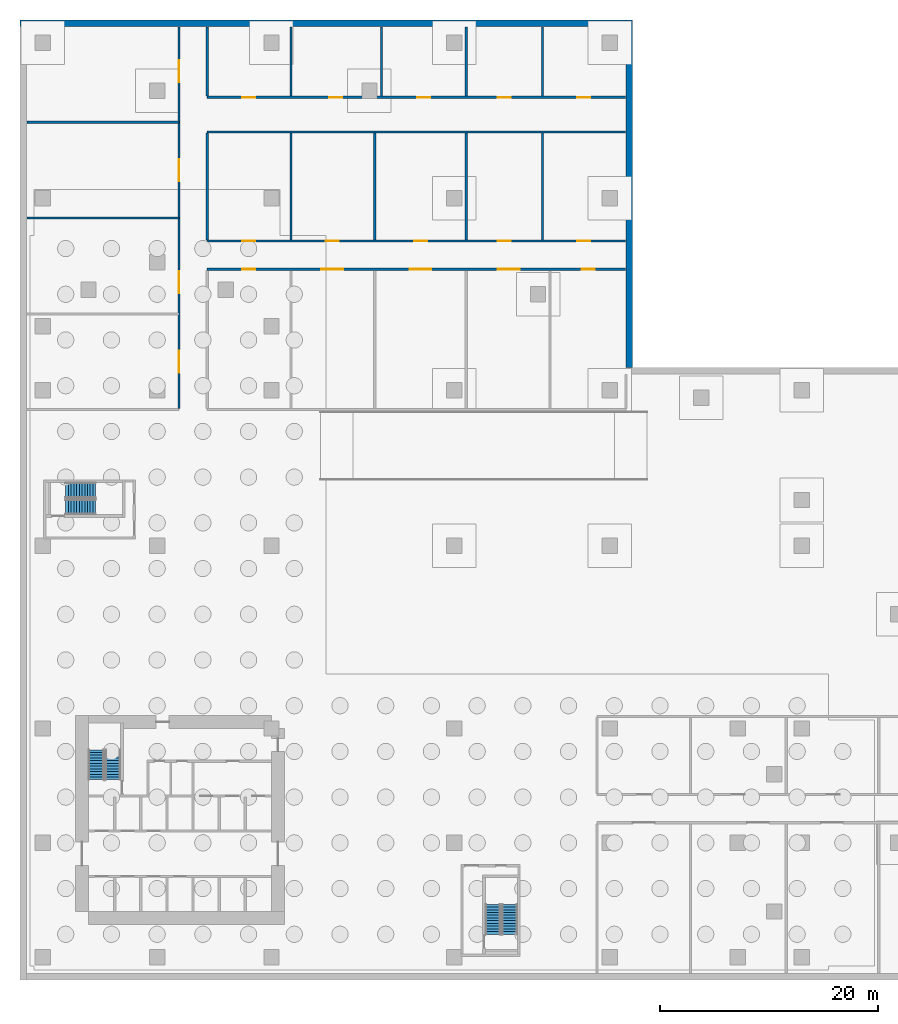
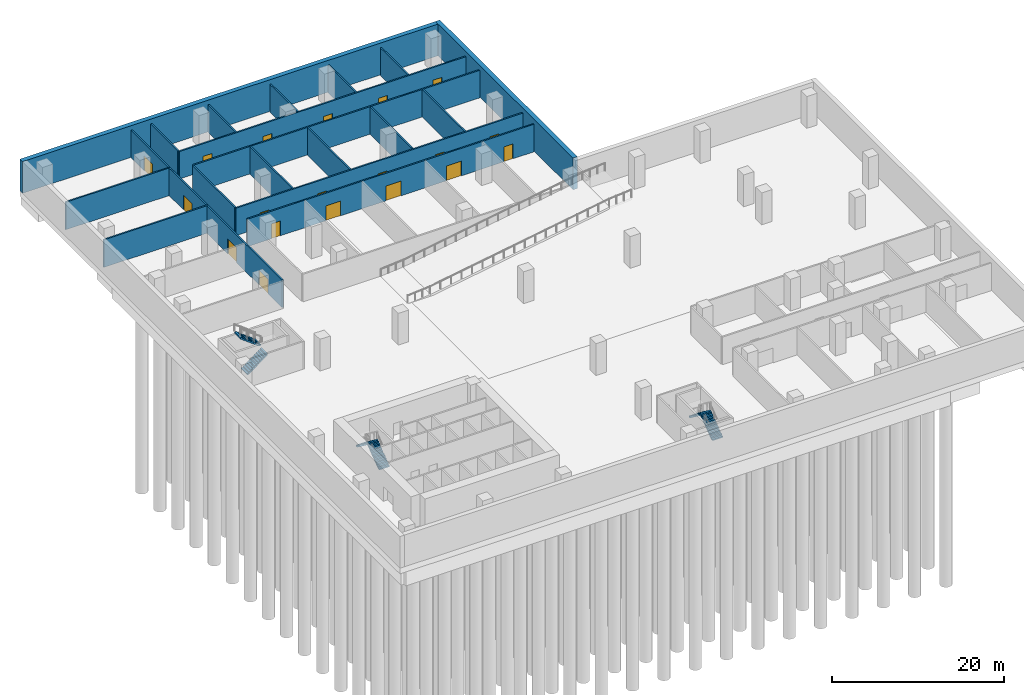
# One storey, part 9 of 13: 19 doors, 19 walls, 6 stair flights, 19 openings, 3 elements without a shape of their own.
"""IFC4 building model written with IfcOpenShell, lengths in metres."""

from ifc_helpers import new_model, si_unit, direction, frame, frame_2d, origin, place, context, subcontext, project, spatial, polyline, rectangle, outline, extrude, source, transform, mapped, material, layer, layer_set, type_object, element, fill, aggregate, save


model = new_model("IFC4")

# Units and contexts
model_context = context("Model", 3, precision=1e-05, world=origin(), true_north=direction((0.0, 1.0)))
body_context = subcontext(model_context, "Body", "Model", "MODEL_VIEW")
ifc_project = project(units=[si_unit("LENGTHUNIT", "METRE"), si_unit("AREAUNIT", "SQUARE_METRE"), si_unit("VOLUMEUNIT", "CUBIC_METRE"), si_unit("PLANEANGLEUNIT", "RADIAN"), si_unit("MASSUNIT", "GRAM", prefix="KILO")], contexts=[model_context])

# Site, building, storey
site_placement = place(None, origin())
site = spatial("IfcSite", under=ifc_project, at=site_placement, CompositionType="ELEMENT")
building_placement = place(site_placement, origin())
building = spatial("IfcBuilding", under=site, at=building_placement, Name="Aurelian Terraces", CompositionType="ELEMENT")
storey_placement = place(building_placement, frame((0.0, 0.0, -13.5)))
storey = spatial("IfcBuildingStorey", under=building, at=storey_placement, Name="B3", CompositionType="ELEMENT", Elevation=-13.5)

# Walls
ifc_material_1 = material(Name="Concrete fc' 40 MPa", Category="concrete")
ifc_layer_1 = layer(ifc_material_1, 0.6)
ifc_layer_set_1 = layer_set([ifc_layer_1], Name="BASEMENT WALL 600 FC40")
wall_type_1 = type_object("IfcWallType", Name="BASEMENT WALL 600 FC40", PredefinedType="SOLIDWALL", material=ifc_layer_set_1)
wall_1_placement = place(storey_placement, frame((53.88, 54.18, 0.0), z_axis=(0.0, 0.0, 1.0), x_axis=(0.0, 1.0, 0.0)))
element("IfcWall", 1, at=wall_1_placement, inside=storey, type_object=wall_type_1, Name="Basement wall 1 B3", PredefinedType="SOLIDWALL", context=body_context, shape_type="SweptSolid", body=[
    extrude(rectangle(XDim=31.92, YDim=0.6, at=frame_2d((15.96, 0.0))), origin(), (0.0, 0.0, 1.0), 4.5),
])
wall_2_placement = place(storey_placement, frame((53.58, 85.8, 0.0), z_axis=(0.0, 0.0, 1.0), x_axis=(-1.0, 0.0, 0.0)))
element("IfcWall", 2, at=wall_2_placement, inside=storey, type_object=wall_type_1, Name="Basement wall 2 B3", PredefinedType="SOLIDWALL", context=body_context, shape_type="SweptSolid", body=[
    extrude(rectangle(XDim=55.68, YDim=0.6, at=frame_2d((27.84, 0.0))), origin(), (0.0, 0.0, 1.0), 4.5),
])

# Wall, openings, doors
ifc_material_2 = material(Name="Gypsum board on steel studs", Category="steel")
ifc_layer_2 = layer(ifc_material_2, 0.2)
ifc_layer_set_2 = layer_set([ifc_layer_2], Name="Basement partition 200")
wall_type_2 = type_object("IfcWallType", Name="Basement partition 200", PredefinedType="PARTITIONING", material=ifc_layer_set_2)
wall_3_placement = place(storey_placement, frame((15.1, 63.2, 0.0), z_axis=(0.0, 0.0, 1.0), x_axis=(1.0, 0.0, 0.0)))
wall_3 = element("IfcWall", 3, at=wall_3_placement, inside=storey, type_object=wall_type_2, Name="B3 partition 007", PredefinedType="PARTITIONING", context=body_context, shape_type="SweptSolid", body=[
    extrude(rectangle(XDim=38.42, YDim=0.2, at=frame_2d((19.21, 0.0))), origin(), (0.0, 0.0, 1.0), 3.9),
])
shared_shape_1 = source(origin(), body_context, "Body", "SweptSolid", [
    extrude(rectangle(XDim=1.2, YDim=2.1, at=frame_2d((0.6, 1.05))), frame((0.0, 0.11, 0.0), z_axis=(0.0, -1.0, 0.0), x_axis=(1.0, 0.0, 0.0)), (0.0, 0.0, 1.0), 0.22),
])
opening_1_placement = place(wall_3_placement, frame((3.2, 0.0, 0.0)))
opening_1 = element("IfcOpeningElement", 4, at=opening_1_placement, cuts=wall_3, Name="Opening 50004", PredefinedType="OPENING", context=body_context, shape_type="MappedRepresentation", body=[
    mapped(shared_shape_1, transform((0.0, 0.0, 0.0), scale=1.0)),
])
shared_shape_2 = source(origin(), body_context, "Body", "SweptSolid", [
    extrude(rectangle(XDim=2.0, YDim=2.1, at=frame_2d((1.0, 1.05))), frame((0.0, 0.11, 0.0), z_axis=(0.0, -1.0, 0.0), x_axis=(1.0, 0.0, 0.0)), (0.0, 0.0, 1.0), 0.22),
])
opening_2_placement = place(wall_3_placement, frame((10.5, 0.0, 0.0)))
opening_2 = element("IfcOpeningElement", 5, at=opening_2_placement, cuts=wall_3, Name="Opening 50005", PredefinedType="OPENING", context=body_context, shape_type="MappedRepresentation", body=[
    mapped(shared_shape_2, transform((0.0, 0.0, 0.0), scale=1.0)),
])
opening_3_placement = place(wall_3_placement, frame((18.6, 0.0, 0.0)))
opening_3 = element("IfcOpeningElement", 6, at=opening_3_placement, cuts=wall_3, Name="Opening 50006", PredefinedType="OPENING", context=body_context, shape_type="MappedRepresentation", body=[
    mapped(shared_shape_2, transform((0.0, 0.0, 0.0), scale=1.0)),
])
opening_4_placement = place(wall_3_placement, frame((26.7, 0.0, 0.0)))
opening_4 = element("IfcOpeningElement", 7, at=opening_4_placement, cuts=wall_3, Name="Opening 50007", PredefinedType="OPENING", context=body_context, shape_type="MappedRepresentation", body=[
    mapped(shared_shape_2, transform((0.0, 0.0, 0.0), scale=1.0)),
])
opening_5_placement = place(wall_3_placement, frame((34.4, 0.0, 0.0)))
opening_5 = element("IfcOpeningElement", 8, at=opening_5_placement, cuts=wall_3, Name="Opening 50008", PredefinedType="OPENING", context=body_context, shape_type="MappedRepresentation", body=[
    mapped(shared_shape_1, transform((0.0, 0.0, 0.0), scale=1.0)),
])
ifc_material_3 = material(Name="Steel door leaf", Category="steel")
door_type_1 = type_object("IfcDoorType", Name="Plant room door 1200x2100", OperationType="SINGLE_SWING_LEFT", PredefinedType="DOOR", material=ifc_material_3)
shared_shape_3 = source(origin(), body_context, "Body", "SweptSolid", [
    extrude(rectangle(XDim=1.2, YDim=2.1, at=frame_2d((0.6, 1.05))), frame((0.0, 0.025, 0.0), z_axis=(0.0, -1.0, 0.0), x_axis=(1.0, 0.0, 0.0)), (0.0, 0.0, 1.0), 0.05),
])
door_1_placement = place(opening_1_placement, origin())
door_1 = element("IfcDoor", 9, at=door_1_placement, inside=storey, type_object=door_type_1, Name="Room door 50004", OperationType="SINGLE_SWING_LEFT", OverallHeight=2.1, OverallWidth=1.2, PredefinedType="DOOR", context=body_context, shape_type="MappedRepresentation", body=[
    mapped(shared_shape_3, transform((0.0, 0.0, 0.0), scale=1.0)),
])
fill(opening_1, door_1)
door_2_placement = place(opening_5_placement, origin())
door_2 = element("IfcDoor", 10, at=door_2_placement, inside=storey, type_object=door_type_1, Name="Room door 50008", OperationType="SINGLE_SWING_LEFT", OverallHeight=2.1, OverallWidth=1.2, PredefinedType="DOOR", context=body_context, shape_type="MappedRepresentation", body=[
    mapped(shared_shape_3, transform((0.0, 0.0, 0.0), scale=1.0)),
])
fill(opening_5, door_2)
door_type_2 = type_object("IfcDoorType", Name="Plant room door double 2000x2100", OperationType="DOUBLE_DOOR_SINGLE_SWING", PredefinedType="DOOR", material=ifc_material_3)
shared_shape_4 = source(origin(), body_context, "Body", "SweptSolid", [
    extrude(rectangle(XDim=2.0, YDim=2.1, at=frame_2d((1.0, 1.05))), frame((0.0, 0.025, 0.0), z_axis=(0.0, -1.0, 0.0), x_axis=(1.0, 0.0, 0.0)), (0.0, 0.0, 1.0), 0.05),
])
door_3_placement = place(opening_2_placement, origin())
door_3 = element("IfcDoor", 11, at=door_3_placement, inside=storey, type_object=door_type_2, Name="Room door 50005", OperationType="DOUBLE_DOOR_SINGLE_SWING", OverallHeight=2.1, OverallWidth=2.0, PredefinedType="DOOR", context=body_context, shape_type="MappedRepresentation", body=[
    mapped(shared_shape_4, transform((0.0, 0.0, 0.0), scale=1.0)),
])
fill(opening_2, door_3)
door_4_placement = place(opening_3_placement, origin())
door_4 = element("IfcDoor", 12, at=door_4_placement, inside=storey, type_object=door_type_2, Name="Room door 50006", OperationType="DOUBLE_DOOR_SINGLE_SWING", OverallHeight=2.1, OverallWidth=2.0, PredefinedType="DOOR", context=body_context, shape_type="MappedRepresentation", body=[
    mapped(shared_shape_4, transform((0.0, 0.0, 0.0), scale=1.0)),
])
fill(opening_3, door_4)
door_5_placement = place(opening_4_placement, origin())
door_5 = element("IfcDoor", 13, at=door_5_placement, inside=storey, type_object=door_type_2, Name="Room door 50007", OperationType="DOUBLE_DOOR_SINGLE_SWING", OverallHeight=2.1, OverallWidth=2.0, PredefinedType="DOOR", context=body_context, shape_type="MappedRepresentation", body=[
    mapped(shared_shape_4, transform((0.0, 0.0, 0.0), scale=1.0)),
])
fill(opening_4, door_5)

wall_4_placement = place(storey_placement, frame((12.5, 50.4, 0.0), z_axis=(0.0, 0.0, 1.0), x_axis=(0.0, 1.0, 0.0)))
wall_4 = element("IfcWall", 14, at=wall_4_placement, inside=storey, type_object=wall_type_2, Name="B3 partition 013", PredefinedType="PARTITIONING", context=body_context, shape_type="SweptSolid", body=[
    extrude(rectangle(XDim=35.04, YDim=0.2, at=frame_2d((17.52, 0.0))), origin(), (0.0, 0.0, 1.0), 3.9),
])
opening_6_placement = place(wall_4_placement, frame((3.3, 0.0, 0.0)))
opening_6 = element("IfcOpeningElement", 15, at=opening_6_placement, cuts=wall_4, Name="Opening 50000", PredefinedType="OPENING", context=body_context, shape_type="SweptSolid", body=[
    extrude(rectangle(XDim=2.0, YDim=2.1, at=frame_2d((1.0, 1.05))), frame((0.0, 0.11, 0.0), z_axis=(0.0, -1.0, 0.0), x_axis=(1.0, 0.0, 0.0)), (0.0, 0.0, 1.0), 0.22),
])
opening_7_placement = place(wall_4_placement, frame((10.6, 0.0, 0.0)))
opening_7 = element("IfcOpeningElement", 16, at=opening_7_placement, cuts=wall_4, Name="Opening 50001", PredefinedType="OPENING", context=body_context, shape_type="MappedRepresentation", body=[
    mapped(shared_shape_2, transform((0.0, 0.0, 0.0), scale=1.0)),
])
opening_8_placement = place(wall_4_placement, frame((20.9, 0.0, 0.0)))
opening_8 = element("IfcOpeningElement", 17, at=opening_8_placement, cuts=wall_4, Name="Opening 50002", PredefinedType="OPENING", context=body_context, shape_type="MappedRepresentation", body=[
    mapped(shared_shape_2, transform((0.0, 0.0, 0.0), scale=1.0)),
])
opening_9_placement = place(wall_4_placement, frame((30.0, 0.0, 0.0)))
opening_9 = element("IfcOpeningElement", 18, at=opening_9_placement, cuts=wall_4, Name="Opening 50003", PredefinedType="OPENING", context=body_context, shape_type="MappedRepresentation", body=[
    mapped(shared_shape_2, transform((0.0, 0.0, 0.0), scale=1.0)),
])
door_6_placement = place(opening_6_placement, origin())
door_6 = element("IfcDoor", 19, at=door_6_placement, inside=storey, type_object=door_type_2, Name="Room door 50000", OperationType="DOUBLE_DOOR_SINGLE_SWING", OverallHeight=2.1, OverallWidth=2.0, PredefinedType="DOOR", context=body_context, shape_type="SweptSolid", body=[
    extrude(rectangle(XDim=2.0, YDim=2.1, at=frame_2d((1.0, 1.05))), frame((0.0, 0.025, 0.0), z_axis=(0.0, -1.0, 0.0), x_axis=(1.0, 0.0, 0.0)), (0.0, 0.0, 1.0), 0.05),
])
fill(opening_6, door_6)
door_7_placement = place(opening_7_placement, origin())
door_7 = element("IfcDoor", 20, at=door_7_placement, inside=storey, type_object=door_type_2, Name="Room door 50001", OperationType="DOUBLE_DOOR_SINGLE_SWING", OverallHeight=2.1, OverallWidth=2.0, PredefinedType="DOOR", context=body_context, shape_type="MappedRepresentation", body=[
    mapped(shared_shape_4, transform((0.0, 0.0, 0.0), scale=1.0)),
])
fill(opening_7, door_7)
door_8_placement = place(opening_8_placement, origin())
door_8 = element("IfcDoor", 21, at=door_8_placement, inside=storey, type_object=door_type_2, Name="Room door 50002", OperationType="DOUBLE_DOOR_SINGLE_SWING", OverallHeight=2.1, OverallWidth=2.0, PredefinedType="DOOR", context=body_context, shape_type="MappedRepresentation", body=[
    mapped(shared_shape_4, transform((0.0, 0.0, 0.0), scale=1.0)),
])
fill(opening_8, door_8)
door_9_placement = place(opening_9_placement, origin())
door_9 = element("IfcDoor", 22, at=door_9_placement, inside=storey, type_object=door_type_2, Name="Room door 50003", OperationType="DOUBLE_DOOR_SINGLE_SWING", OverallHeight=2.1, OverallWidth=2.0, PredefinedType="DOOR", context=body_context, shape_type="MappedRepresentation", body=[
    mapped(shared_shape_4, transform((0.0, 0.0, 0.0), scale=1.0)),
])
fill(opening_9, door_9)

# Walls
wall_5_placement = place(storey_placement, frame((15.1, 65.9, 0.0), z_axis=(0.0, 0.0, 1.0), x_axis=(0.0, 1.0, 0.0)))
element("IfcWall", 23, at=wall_5_placement, inside=storey, type_object=wall_type_2, Name="B3 partition 015", PredefinedType="PARTITIONING", context=body_context, shape_type="SweptSolid", body=[
    extrude(rectangle(XDim=9.8, YDim=0.2, at=frame_2d((4.9, 0.0))), origin(), (0.0, 0.0, 1.0), 3.9),
])
wall_6_placement = place(storey_placement, frame((15.1, 79.1, 0.0), z_axis=(0.0, 0.0, 1.0), x_axis=(0.0, 1.0, 0.0)))
element("IfcWall", 24, at=wall_6_placement, inside=storey, type_object=wall_type_2, Name="B3 partition 016", PredefinedType="PARTITIONING", context=body_context, shape_type="SweptSolid", body=[
    extrude(rectangle(XDim=6.34, YDim=0.2, at=frame_2d((3.17, 0.0))), origin(), (0.0, 0.0, 1.0), 3.9),
])
shared_shape_5 = source(origin(), body_context, "Body", "SweptSolid", [
    extrude(rectangle(XDim=13.94, YDim=0.2, at=frame_2d((6.97, 0.0))), origin(), (0.0, 0.0, 1.0), 3.9),
])
for number, where, z_axis, x_axis, name in (
    (25, (-1.44, 67.9, 0.0), (0.0, 0.0, 1.0), (1.0, 0.0, 0.0), "B3 partition 009"),
    (26, (-1.44, 76.7, 0.0), (0.0, 0.0, 1.0), (1.0, 0.0, 0.0), "B3 partition 011"),
):
    element("IfcWall", number, at=place(storey_placement, frame(where, z_axis=z_axis, x_axis=x_axis)), inside=storey, type_object=wall_type_2, Name=name, PredefinedType="PARTITIONING", context=body_context, shape_type="MappedRepresentation", body=[
        mapped(shared_shape_5, transform((0.0, 0.0, 0.0), scale=1.0)),
    ])

# Wall, openings, doors
shared_shape_6 = source(origin(), body_context, "Body", "SweptSolid", [
    extrude(rectangle(XDim=38.42, YDim=0.2, at=frame_2d((19.21, 0.0))), origin(), (0.0, 0.0, 1.0), 3.9),
])
wall_7_placement = place(storey_placement, frame((15.1, 65.8, 0.0), z_axis=(0.0, 0.0, 1.0), x_axis=(1.0, 0.0, 0.0)))
wall_7 = element("IfcWall", 27, at=wall_7_placement, inside=storey, type_object=wall_type_2, Name="B3 partition 008", PredefinedType="PARTITIONING", context=body_context, shape_type="MappedRepresentation", body=[
    mapped(shared_shape_6, transform((0.0, 0.0, 0.0), scale=1.0)),
])
opening_10_placement = place(wall_7_placement, frame((3.2, 0.0, 0.0)))
opening_10 = element("IfcOpeningElement", 28, at=opening_10_placement, cuts=wall_7, Name="Opening 50009", PredefinedType="OPENING", context=body_context, shape_type="MappedRepresentation", body=[
    mapped(shared_shape_1, transform((0.0, 0.0, 0.0), scale=1.0)),
])
opening_11_placement = place(wall_7_placement, frame((10.9, 0.0, 0.0)))
opening_11 = element("IfcOpeningElement", 29, at=opening_11_placement, cuts=wall_7, Name="Opening 50010", PredefinedType="OPENING", context=body_context, shape_type="MappedRepresentation", body=[
    mapped(shared_shape_1, transform((0.0, 0.0, 0.0), scale=1.0)),
])
opening_12_placement = place(wall_7_placement, frame((19.0, 0.0, 0.0)))
opening_12 = element("IfcOpeningElement", 30, at=opening_12_placement, cuts=wall_7, Name="Opening 50011", PredefinedType="OPENING", context=body_context, shape_type="MappedRepresentation", body=[
    mapped(shared_shape_1, transform((0.0, 0.0, 0.0), scale=1.0)),
])
opening_13_placement = place(wall_7_placement, frame((26.7, 0.0, 0.0)))
opening_13 = element("IfcOpeningElement", 31, at=opening_13_placement, cuts=wall_7, Name="Opening 50012", PredefinedType="OPENING", context=body_context, shape_type="MappedRepresentation", body=[
    mapped(shared_shape_1, transform((0.0, 0.0, 0.0), scale=1.0)),
])
opening_14_placement = place(wall_7_placement, frame((34.0, 0.0, 0.0)))
opening_14 = element("IfcOpeningElement", 32, at=opening_14_placement, cuts=wall_7, Name="Opening 50013", PredefinedType="OPENING", context=body_context, shape_type="MappedRepresentation", body=[
    mapped(shared_shape_1, transform((0.0, 0.0, 0.0), scale=1.0)),
])
door_type_3 = type_object("IfcDoorType", Name="Plant room door 1200x2100 right", OperationType="SINGLE_SWING_RIGHT", PredefinedType="DOOR", material=ifc_material_3)
door_10_placement = place(opening_10_placement, origin())
door_10 = element("IfcDoor", 33, at=door_10_placement, inside=storey, type_object=door_type_3, Name="Room door 50009", OperationType="SINGLE_SWING_RIGHT", OverallHeight=2.1, OverallWidth=1.2, PredefinedType="DOOR", context=body_context, shape_type="MappedRepresentation", body=[
    mapped(shared_shape_3, transform((0.0, 0.0, 0.0), scale=1.0)),
])
fill(opening_10, door_10)
door_11_placement = place(opening_11_placement, origin())
door_11 = element("IfcDoor", 34, at=door_11_placement, inside=storey, type_object=door_type_1, Name="Room door 50010", OperationType="SINGLE_SWING_LEFT", OverallHeight=2.1, OverallWidth=1.2, PredefinedType="DOOR", context=body_context, shape_type="MappedRepresentation", body=[
    mapped(shared_shape_3, transform((0.0, 0.0, 0.0), scale=1.0)),
])
fill(opening_11, door_11)
door_12_placement = place(opening_12_placement, origin())
door_12 = element("IfcDoor", 35, at=door_12_placement, inside=storey, type_object=door_type_3, Name="Room door 50011", OperationType="SINGLE_SWING_RIGHT", OverallHeight=2.1, OverallWidth=1.2, PredefinedType="DOOR", context=body_context, shape_type="MappedRepresentation", body=[
    mapped(shared_shape_3, transform((0.0, 0.0, 0.0), scale=1.0)),
])
fill(opening_12, door_12)
door_13_placement = place(opening_13_placement, origin())
door_13 = element("IfcDoor", 36, at=door_13_placement, inside=storey, type_object=door_type_1, Name="Room door 50012", OperationType="SINGLE_SWING_LEFT", OverallHeight=2.1, OverallWidth=1.2, PredefinedType="DOOR", context=body_context, shape_type="MappedRepresentation", body=[
    mapped(shared_shape_3, transform((0.0, 0.0, 0.0), scale=1.0)),
])
fill(opening_13, door_13)
door_14_placement = place(opening_14_placement, origin())
door_14 = element("IfcDoor", 37, at=door_14_placement, inside=storey, type_object=door_type_3, Name="Room door 50013", OperationType="SINGLE_SWING_RIGHT", OverallHeight=2.1, OverallWidth=1.2, PredefinedType="DOOR", context=body_context, shape_type="MappedRepresentation", body=[
    mapped(shared_shape_3, transform((0.0, 0.0, 0.0), scale=1.0)),
])
fill(opening_14, door_14)

# Wall
wall_8_placement = place(storey_placement, frame((15.1, 75.8, 0.0), z_axis=(0.0, 0.0, 1.0), x_axis=(1.0, 0.0, 0.0)))
element("IfcWall", 38, at=wall_8_placement, inside=storey, type_object=wall_type_2, Name="B3 partition 010", PredefinedType="PARTITIONING", context=body_context, shape_type="MappedRepresentation", body=[
    mapped(shared_shape_6, transform((0.0, 0.0, 0.0), scale=1.0)),
])

# Wall, openings, doors
wall_9_placement = place(storey_placement, frame((15.1, 79.0, 0.0), z_axis=(0.0, 0.0, 1.0), x_axis=(1.0, 0.0, 0.0)))
wall_9 = element("IfcWall", 39, at=wall_9_placement, inside=storey, type_object=wall_type_2, Name="B3 partition 012", PredefinedType="PARTITIONING", context=body_context, shape_type="MappedRepresentation", body=[
    mapped(shared_shape_6, transform((0.0, 0.0, 0.0), scale=1.0)),
])
opening_15_placement = place(wall_9_placement, frame((3.2, 0.0, 0.0)))
opening_15 = element("IfcOpeningElement", 40, at=opening_15_placement, cuts=wall_9, Name="Opening 50014", PredefinedType="OPENING", context=body_context, shape_type="MappedRepresentation", body=[
    mapped(shared_shape_1, transform((0.0, 0.0, 0.0), scale=1.0)),
])
opening_16_placement = place(wall_9_placement, frame((11.2, 0.0, 0.0)))
opening_16 = element("IfcOpeningElement", 41, at=opening_16_placement, cuts=wall_9, Name="Opening 50015", PredefinedType="OPENING", context=body_context, shape_type="MappedRepresentation", body=[
    mapped(shared_shape_1, transform((0.0, 0.0, 0.0), scale=1.0)),
])
opening_17_placement = place(wall_9_placement, frame((19.3, 0.0, 0.0)))
opening_17 = element("IfcOpeningElement", 42, at=opening_17_placement, cuts=wall_9, Name="Opening 50016", PredefinedType="OPENING", context=body_context, shape_type="MappedRepresentation", body=[
    mapped(shared_shape_1, transform((0.0, 0.0, 0.0), scale=1.0)),
])
opening_18_placement = place(wall_9_placement, frame((26.7, 0.0, 0.0)))
opening_18 = element("IfcOpeningElement", 43, at=opening_18_placement, cuts=wall_9, Name="Opening 50017", PredefinedType="OPENING", context=body_context, shape_type="MappedRepresentation", body=[
    mapped(shared_shape_1, transform((0.0, 0.0, 0.0), scale=1.0)),
])
opening_19_placement = place(wall_9_placement, frame((34.0, 0.0, 0.0)))
opening_19 = element("IfcOpeningElement", 44, at=opening_19_placement, cuts=wall_9, Name="Opening 50018", PredefinedType="OPENING", context=body_context, shape_type="MappedRepresentation", body=[
    mapped(shared_shape_1, transform((0.0, 0.0, 0.0), scale=1.0)),
])
door_15_placement = place(opening_15_placement, origin())
door_15 = element("IfcDoor", 45, at=door_15_placement, inside=storey, type_object=door_type_1, Name="Room door 50014", OperationType="SINGLE_SWING_LEFT", OverallHeight=2.1, OverallWidth=1.2, PredefinedType="DOOR", context=body_context, shape_type="MappedRepresentation", body=[
    mapped(shared_shape_3, transform((0.0, 0.0, 0.0), scale=1.0)),
])
fill(opening_15, door_15)
door_16_placement = place(opening_16_placement, origin())
door_16 = element("IfcDoor", 46, at=door_16_placement, inside=storey, type_object=door_type_3, Name="Room door 50015", OperationType="SINGLE_SWING_RIGHT", OverallHeight=2.1, OverallWidth=1.2, PredefinedType="DOOR", context=body_context, shape_type="MappedRepresentation", body=[
    mapped(shared_shape_3, transform((0.0, 0.0, 0.0), scale=1.0)),
])
fill(opening_16, door_16)
door_17_placement = place(opening_17_placement, origin())
door_17 = element("IfcDoor", 47, at=door_17_placement, inside=storey, type_object=door_type_1, Name="Room door 50016", OperationType="SINGLE_SWING_LEFT", OverallHeight=2.1, OverallWidth=1.2, PredefinedType="DOOR", context=body_context, shape_type="MappedRepresentation", body=[
    mapped(shared_shape_3, transform((0.0, 0.0, 0.0), scale=1.0)),
])
fill(opening_17, door_17)
door_18_placement = place(opening_18_placement, origin())
door_18 = element("IfcDoor", 48, at=door_18_placement, inside=storey, type_object=door_type_3, Name="Room door 50017", OperationType="SINGLE_SWING_RIGHT", OverallHeight=2.1, OverallWidth=1.2, PredefinedType="DOOR", context=body_context, shape_type="MappedRepresentation", body=[
    mapped(shared_shape_3, transform((0.0, 0.0, 0.0), scale=1.0)),
])
fill(opening_18, door_18)
door_19_placement = place(opening_19_placement, origin())
door_19 = element("IfcDoor", 49, at=door_19_placement, inside=storey, type_object=door_type_1, Name="Room door 50018", OperationType="SINGLE_SWING_LEFT", OverallHeight=2.1, OverallWidth=1.2, PredefinedType="DOOR", context=body_context, shape_type="MappedRepresentation", body=[
    mapped(shared_shape_3, transform((0.0, 0.0, 0.0), scale=1.0)),
])
fill(opening_19, door_19)

# Walls
shared_shape_7 = source(origin(), body_context, "Body", "SweptSolid", [
    extrude(rectangle(XDim=9.8, YDim=0.2, at=frame_2d((4.9, 0.0))), origin(), (0.0, 0.0, 1.0), 3.9),
])
for number, where, z_axis, x_axis, name in (
    (50, (22.8, 65.9, 0.0), (0.0, 0.0, 1.0), (0.0, 1.0, 0.0), "B3 partition 018"),
    (51, (30.5, 65.9, 0.0), (0.0, 0.0, 1.0), (0.0, 1.0, 0.0), "B3 partition 021"),
    (52, (38.9, 65.9, 0.0), (0.0, 0.0, 1.0), (0.0, 1.0, 0.0), "B3 partition 024"),
    (53, (45.9, 65.9, 0.0), (0.0, 0.0, 1.0), (0.0, 1.0, 0.0), "B3 partition 026"),
):
    element("IfcWall", number, at=place(storey_placement, frame(where, z_axis=z_axis, x_axis=x_axis)), inside=storey, type_object=wall_type_2, Name=name, PredefinedType="PARTITIONING", context=body_context, shape_type="MappedRepresentation", body=[
        mapped(shared_shape_7, transform((0.0, 0.0, 0.0), scale=1.0)),
    ])
shared_shape_8 = source(origin(), body_context, "Body", "SweptSolid", [
    extrude(rectangle(XDim=6.34, YDim=0.2, at=frame_2d((3.17, 0.0))), origin(), (0.0, 0.0, 1.0), 3.9),
])
for number, where, z_axis, x_axis, name in (
    (54, (22.8, 79.1, 0.0), (0.0, 0.0, 1.0), (0.0, 1.0, 0.0), "B3 partition 019"),
    (55, (31.1, 79.1, 0.0), (0.0, 0.0, 1.0), (0.0, 1.0, 0.0), "B3 partition 022"),
    (56, (38.9, 79.1, 0.0), (0.0, 0.0, 1.0), (0.0, 1.0, 0.0), "B3 partition 025"),
    (57, (45.9, 79.1, 0.0), (0.0, 0.0, 1.0), (0.0, 1.0, 0.0), "B3 partition 027"),
):
    element("IfcWall", number, at=place(storey_placement, frame(where, z_axis=z_axis, x_axis=x_axis)), inside=storey, type_object=wall_type_2, Name=name, PredefinedType="PARTITIONING", context=body_context, shape_type="MappedRepresentation", body=[
        mapped(shared_shape_8, transform((0.0, 0.0, 0.0), scale=1.0)),
    ])

# Stair, stair flights
stair_type = type_object("IfcStairType", Name="Stair 1400", PredefinedType="HALF_TURN_STAIR", material=ifc_material_1)
stair_1_placement = place(storey_placement, origin())
stair_1 = element("IfcStair", 58, at=stair_1_placement, inside=storey, type_object=stair_type, Name="B3 S1", PredefinedType="HALF_TURN_STAIR")
stair_flight_type = type_object("IfcStairFlightType", Name="Stair flight 1400", PredefinedType="STRAIGHT", material=ifc_material_1)
stair_flight_1_placement = place(storey_placement, frame((6.45, 16.3, 2e-08), z_axis=(0.0, 0.0, 1.0), x_axis=(0.0, 1.0, 0.0)))
stair_flight_1 = element("IfcStairFlight", 59, at=stair_flight_1_placement, type_object=stair_flight_type, Name="S1 flight 1", NumberOfRisers=12, NumberOfTreads=11, PredefinedType="STRAIGHT", RiserHeight=0.1875, TreadLength=0.25, context=body_context, shape_type="SweptSolid", body=[
    extrude(outline(polyline([(0.0, 0.0), (0.0, 0.1875), (0.25, 0.1875), (0.25, 0.375), (0.5, 0.375), (0.5, 0.5625), (0.75, 0.5625), (0.75, 0.75), (1.0, 0.75), (1.0, 0.9375), (1.25, 0.9375), (1.25, 1.125), (1.5, 1.125), (1.5, 1.3125), (1.75, 1.3125), (1.75, 1.5), (2.0, 1.5), (2.0, 1.6875), (2.25, 1.6875), (2.25, 1.875), (2.5, 1.875), (2.5, 2.0625), (2.75, 2.0625), (2.75, 2.25), (2.75, 1.875), (0.25, 0.0), (0.0, 0.0)])), frame((0.0, 0.7, 0.0), z_axis=(0.0, -1.0, 0.0), x_axis=(1.0, 0.0, 0.0)), (0.0, 0.0, 1.0), 1.4),
])
shared_shape_9 = source(origin(), body_context, "Body", "SweptSolid", [
    extrude(outline(polyline([(0.0, 0.0), (0.0, 0.1875), (0.25, 0.1875), (0.25, 0.375), (0.5, 0.375), (0.5, 0.5625), (0.75, 0.5625), (0.75, 0.75), (1.0, 0.75), (1.0, 0.9375), (1.25, 0.9375), (1.25, 1.125), (1.5, 1.125), (1.5, 1.3125), (1.75, 1.3125), (1.75, 1.5), (2.0, 1.5), (2.0, 1.6875), (2.25, 1.6875), (2.25, 1.875), (2.5, 1.875), (2.5, 2.0625), (2.75, 2.0625), (2.75, 2.25), (2.75, 1.875), (0.25, 0.0), (0.0, 0.0)])), frame((0.0, 0.7, 0.0), z_axis=(0.0, -1.0, 0.0), x_axis=(1.0, 0.0, 0.0)), (0.0, 0.0, 1.0), 1.4),
])
stair_flight_2_placement = place(storey_placement, frame((4.9, 19.05, 2.25000002), z_axis=(0.0, 0.0, 1.0), x_axis=(0.0, -1.0, 0.0)))
stair_flight_2 = element("IfcStairFlight", 60, at=stair_flight_2_placement, type_object=stair_flight_type, Name="S1 flight 2", NumberOfRisers=12, NumberOfTreads=11, PredefinedType="STRAIGHT", RiserHeight=0.1875, TreadLength=0.25, context=body_context, shape_type="MappedRepresentation", body=[
    mapped(shared_shape_9, transform((0.0, 0.0, 0.0), scale=1.0)),
])
aggregate(stair_1, [stair_flight_1, stair_flight_2])

stair_2_placement = place(storey_placement, origin())
stair_2 = element("IfcStair", 61, at=stair_2_placement, inside=storey, type_object=stair_type, Name="B3 S2", PredefinedType="HALF_TURN_STAIR")
stair_flight_3_placement = place(storey_placement, frame((42.9, 2.1, 2e-08), z_axis=(0.0, 0.0, 1.0), x_axis=(0.0, 1.0, 0.0)))
stair_flight_3 = element("IfcStairFlight", 62, at=stair_flight_3_placement, type_object=stair_flight_type, Name="S2 flight 1", NumberOfRisers=12, NumberOfTreads=11, PredefinedType="STRAIGHT", RiserHeight=0.1875, TreadLength=0.25, context=body_context, shape_type="MappedRepresentation", body=[
    mapped(shared_shape_9, transform((0.0, 0.0, 0.0), scale=1.0)),
])
stair_flight_4_placement = place(storey_placement, frame((41.35, 4.85, 2.25000002), z_axis=(0.0, 0.0, 1.0), x_axis=(0.0, -1.0, 0.0)))
stair_flight_4 = element("IfcStairFlight", 63, at=stair_flight_4_placement, type_object=stair_flight_type, Name="S2 flight 2", NumberOfRisers=12, NumberOfTreads=11, PredefinedType="STRAIGHT", RiserHeight=0.1875, TreadLength=0.25, context=body_context, shape_type="MappedRepresentation", body=[
    mapped(shared_shape_9, transform((0.0, 0.0, 0.0), scale=1.0)),
])
aggregate(stair_2, [stair_flight_3, stair_flight_4])

stair_3_placement = place(storey_placement, origin())
stair_3 = element("IfcStair", 64, at=stair_3_placement, inside=storey, type_object=stair_type, Name="B3 S3", PredefinedType="HALF_TURN_STAIR")
stair_flight_5_placement = place(storey_placement, frame((2.1, 41.35, 2e-08), z_axis=(0.0, 0.0, 1.0), x_axis=(1.0, 0.0, 0.0)))
stair_flight_5 = element("IfcStairFlight", 65, at=stair_flight_5_placement, type_object=stair_flight_type, Name="S3 flight 1", NumberOfRisers=12, NumberOfTreads=11, PredefinedType="STRAIGHT", RiserHeight=0.1875, TreadLength=0.25, context=body_context, shape_type="MappedRepresentation", body=[
    mapped(shared_shape_9, transform((0.0, 0.0, 0.0), scale=1.0)),
])
stair_flight_6_placement = place(storey_placement, frame((4.85, 42.9, 2.25000002), z_axis=(0.0, 0.0, 1.0), x_axis=(-1.0, 0.0, 0.0)))
stair_flight_6 = element("IfcStairFlight", 66, at=stair_flight_6_placement, type_object=stair_flight_type, Name="S3 flight 2", NumberOfRisers=12, NumberOfTreads=11, PredefinedType="STRAIGHT", RiserHeight=0.1875, TreadLength=0.25, context=body_context, shape_type="MappedRepresentation", body=[
    mapped(shared_shape_9, transform((0.0, 0.0, 0.0), scale=1.0)),
])
aggregate(stair_3, [stair_flight_5, stair_flight_6])

save(model, "model.ifc")
